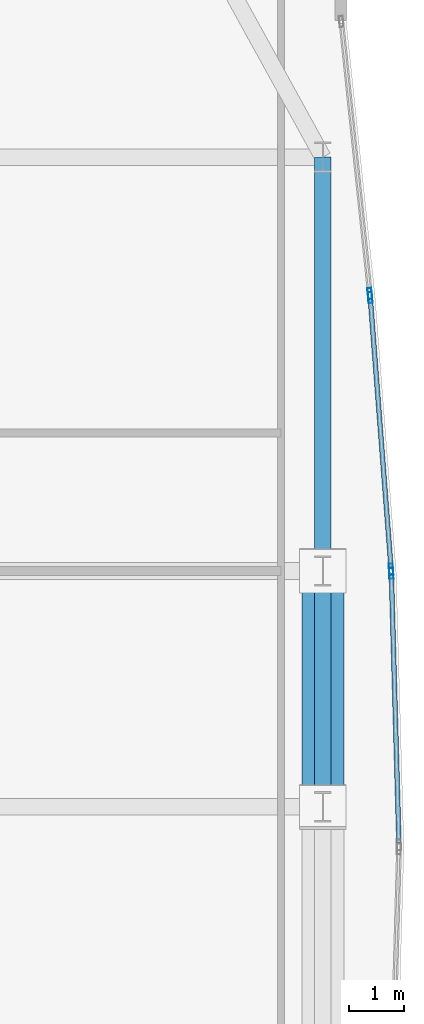
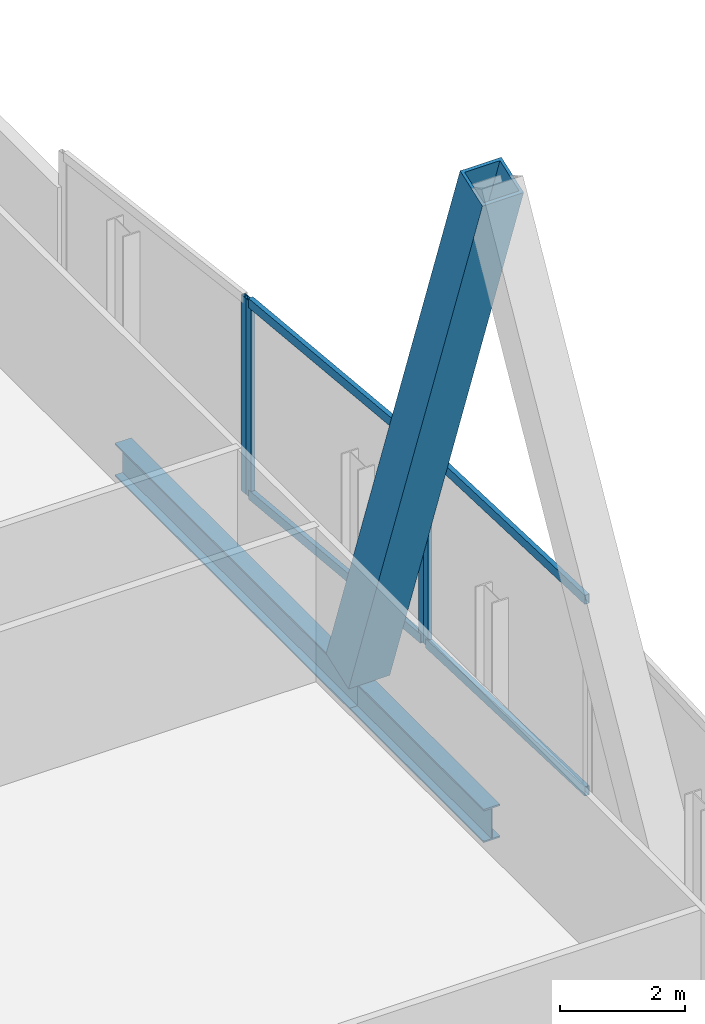
# One storey, part 24 of 32: 9 members, 2 beams, 3 elements without a shape of their own.
"""IFC4 building model written with IfcOpenShell, lengths in metres."""

from ifc_helpers import new_model, si_unit, direction, frame, origin, origin_2d, place, context, subcontext, project, spatial, hollow_rectangle, i_section, extrude, material, material_profile, profile_set, type_object, element, aggregate, save


model = new_model("IFC4")

# Units and contexts
model_context = context("Model", 3, precision=1e-05, world=origin(), true_north=direction((0.0, 1.0)))
body_context = subcontext(model_context, "Body", "Model", "MODEL_VIEW")
ifc_project = project(units=[si_unit("LENGTHUNIT", "METRE"), si_unit("AREAUNIT", "SQUARE_METRE"), si_unit("VOLUMEUNIT", "CUBIC_METRE"), si_unit("PLANEANGLEUNIT", "RADIAN"), si_unit("MASSUNIT", "GRAM", prefix="KILO")], contexts=[model_context])

# Site, building, storey
site_placement = place(None, origin())
site = spatial("IfcSite", under=ifc_project, at=site_placement, CompositionType="ELEMENT")
building_placement = place(site_placement, origin())
building = spatial("IfcBuilding", under=site, at=building_placement, Name="Khoronbel Lancet Exchange", CompositionType="ELEMENT")
storey_placement = place(building_placement, frame((0.0, 0.0, 94.60009765625)))
storey = spatial("IfcBuildingStorey", under=building, at=storey_placement, Name="L22", CompositionType="ELEMENT", Elevation=94.60009765625)

# Beams
ifc_material_1 = material(Name="Steel S355", Category="steel")
ifc_material_profile_1 = material_profile(ifc_material_1, i_section(OverallWidth=0.300048828125, OverallDepth=0.64990234375, WebThickness=0.01611328125, FlangeThickness=0.031005859375, at=origin_2d()), Name="HEB 650")
ifc_profile_set_1 = profile_set([ifc_material_profile_1], Name="Steel S355")
beam_type = type_object("IfcBeamType", Name="BM-BSP1", PredefinedType="SPANDREL", material=ifc_profile_set_1)
beam_1_placement = place(storey_placement, frame((69.6298828125, 31.425048828125, -0.505126953125), z_axis=(0.0, 1.0, 0.0), x_axis=(-1.0, 0.0, 0.0)))
element("IfcBeam", 1, at=beam_1_placement, inside=storey, type_object=beam_type, Name="Level L22 perimeter spandrel beam SP13", PredefinedType="SPANDREL", context=body_context, shape_type="SweptSolid", body=[
    extrude(i_section(OverallWidth=0.300048828125, OverallDepth=0.64990234375, WebThickness=0.01611328125, FlangeThickness=0.031005859375, at=origin_2d()), origin(), (0.0, 0.0, 1.0), 4.27490234375),
])
beam_2_placement = place(storey_placement, frame((69.6298828125, 35.699951171875, -0.505126953125), z_axis=(0.0, 1.0, 0.0), x_axis=(-1.0, 0.0, 0.0)))
element("IfcBeam", 2, at=beam_2_placement, inside=storey, type_object=beam_type, Name="Level L22 perimeter spandrel beam SP14", PredefinedType="SPANDREL", context=body_context, shape_type="SweptSolid", body=[
    extrude(i_section(OverallWidth=0.300048828125, OverallDepth=0.64990234375, WebThickness=0.01611328125, FlangeThickness=0.031005859375, at=origin_2d()), origin(), (0.0, 0.0, 1.0), 7.5),
])

# Curtain wall, member
ifc_material_2 = material(Name="Low-E Solar Control Insulating Glass", Category="glass")
curtain_wall_type = type_object("IfcCurtainWallType", Name="CW-4", PredefinedType="NOTDEFINED", material=ifc_material_2)
curtain_wall_1_placement = place(storey_placement, origin())
curtain_wall_1 = element("IfcCurtainWall", 3, at=curtain_wall_1_placement, inside=storey, type_object=curtain_wall_type, Name="Unitised curtain wall CW-L22-E17", PredefinedType="NOTDEFINED")
ifc_material_3 = material(Name="Bronze-Anodised Aluminium 6063-T6", Category="aluminium")
ifc_material_profile_2 = material_profile(ifc_material_3, hollow_rectangle(XDim=0.074951171875, YDim=0.199951171875, WallThickness=0.0048828125, at=origin_2d()), Name="ALU MULLION 75x200")
ifc_profile_set_2 = profile_set([ifc_material_profile_2], Name="Bronze-Anodised Aluminium 6063-T6")
member_type_1 = type_object("IfcMemberType", Name="MEM-CWM2", PredefinedType="MULLION", material=ifc_profile_set_2)
member_1_placement = place(storey_placement, frame((70.4814453125, 40.729248046875, 0.0), z_axis=(0.0, 0.0, 1.0), x_axis=(0.994531779003, 0.104434383958, 0.0)))
member_1 = element("IfcMember", 4, at=member_1_placement, type_object=member_type_1, Name="CW4 mullion 2", PredefinedType="MULLION", context=body_context, shape_type="SweptSolid", body=[
    extrude(hollow_rectangle(XDim=0.074951171875, YDim=0.199951171875, WallThickness=0.0048828125, at=origin_2d()), origin(), (0.0, 0.0, 1.0), 3.81982421875),
])
aggregate(curtain_wall_1, [member_1])

# Curtain wall, members
curtain_wall_2_placement = place(storey_placement, origin())
curtain_wall_2 = element("IfcCurtainWall", 5, at=curtain_wall_2_placement, inside=storey, type_object=curtain_wall_type, Name="Unitised curtain wall CW-L22-E18", PredefinedType="NOTDEFINED")
member_2_placement = place(storey_placement, frame((70.48828125, 40.654541015625, 0.0), z_axis=(0.0, 0.0, 1.0), x_axis=(0.997059882555, 0.076626304874, 0.0)))
member_2 = element("IfcMember", 6, at=member_2_placement, type_object=member_type_1, Name="CW4 mullion 1", PredefinedType="MULLION", context=body_context, shape_type="SweptSolid", body=[
    extrude(hollow_rectangle(XDim=0.074951171875, YDim=0.199951171875, WallThickness=0.0048828125, at=origin_2d()), origin(), (0.0, 0.0, 1.0), 3.81982421875),
])
member_3_placement = place(storey_placement, frame((70.866455078125, 35.732666015625, 0.0), z_axis=(0.0, 0.0, 1.0), x_axis=(0.997059882555, 0.076626304874, 0.0)))
member_3 = element("IfcMember", 7, at=member_3_placement, type_object=member_type_1, Name="CW4 mullion 2", PredefinedType="MULLION", context=body_context, shape_type="SweptSolid", body=[
    extrude(hollow_rectangle(XDim=0.074951171875, YDim=0.199951171875, WallThickness=0.0048828125, at=origin_2d()), origin(), (0.0, 0.0, 1.0), 3.81982421875),
])

# Curtain wall, member
curtain_wall_3_placement = place(storey_placement, origin())
curtain_wall_3 = element("IfcCurtainWall", 8, at=curtain_wall_3_placement, inside=storey, type_object=curtain_wall_type, Name="Unitised curtain wall CW-L22-E19", PredefinedType="NOTDEFINED")
member_4_placement = place(storey_placement, frame((70.870361328125, 35.65771484375, 0.0), z_axis=(0.0, 0.0, 1.0), x_axis=(0.999604123662, 0.028135315146, 0.0)))
member_4 = element("IfcMember", 9, at=member_4_placement, type_object=member_type_1, Name="CW4 mullion 1", PredefinedType="MULLION", context=body_context, shape_type="SweptSolid", body=[
    extrude(hollow_rectangle(XDim=0.074951171875, YDim=0.199951171875, WallThickness=0.0048828125, at=origin_2d()), origin(), (0.0, 0.0, 1.0), 3.81982421875),
])

# Member
ifc_material_profile_3 = material_profile(ifc_material_3, hollow_rectangle(XDim=0.0849609375, YDim=0.179931640625, WallThickness=0.0048828125, at=origin_2d()), Name="ALU TRANSOM 85x180")
ifc_profile_set_3 = profile_set([ifc_material_profile_3], Name="Bronze-Anodised Aluminium 6063-T6")
member_type_2 = type_object("IfcMemberType", Name="MEM-CWT1", PredefinedType="USERDEFINED", material=ifc_profile_set_3)
member_5_placement = place(storey_placement, frame((70.4912109375, 40.6171875, 0.04248046875), z_axis=(0.076635053626, -0.997059210155, 0.0), x_axis=(0.997059210155, 0.076635053626, 0.0)))
member_5 = element("IfcMember", 10, at=member_5_placement, type_object=member_type_2, Name="CW4 transom 1.1", ObjectType="TRANSOM", PredefinedType="USERDEFINED", context=body_context, shape_type="SweptSolid", body=[
    extrude(hollow_rectangle(XDim=0.0849609375, YDim=0.179931640625, WallThickness=0.0048828125, at=origin_2d()), origin(), (0.0, 0.0, 1.0), 4.861572265625),
])

member_6_placement = place(storey_placement, frame((70.4912109375, 40.6171875, 3.77734375), z_axis=(0.076635053626, -0.997059210155, 0.0), x_axis=(0.997059210155, 0.076635053626, 0.0)))
member_6 = element("IfcMember", 11, at=member_6_placement, type_object=member_type_2, Name="CW4 transom 1.2", ObjectType="TRANSOM", PredefinedType="USERDEFINED", context=body_context, shape_type="SweptSolid", body=[
    extrude(hollow_rectangle(XDim=0.0849609375, YDim=0.179931640625, WallThickness=0.0048828125, at=origin_2d()), origin(), (0.0, 0.0, 1.0), 4.861572265625),
])

aggregate(curtain_wall_2, [member_2, member_3, member_5, member_6])

member_7_placement = place(storey_placement, frame((70.87158203125, 35.620361328125, 0.04248046875), z_axis=(0.028103975057, -0.999605005283, 0.0), x_axis=(0.999605005283, 0.028103975057, 0.0)))
member_7 = element("IfcMember", 12, at=member_7_placement, type_object=member_type_2, Name="CW4 transom 1.1", ObjectType="TRANSOM", PredefinedType="USERDEFINED", context=body_context, shape_type="SweptSolid", body=[
    extrude(hollow_rectangle(XDim=0.0849609375, YDim=0.179931640625, WallThickness=0.0048828125, at=origin_2d()), origin(), (0.0, 0.0, 1.0), 4.847412109375),
])

member_8_placement = place(storey_placement, frame((70.87158203125, 35.620361328125, 3.77734375), z_axis=(0.028103975057, -0.999605005283, 0.0), x_axis=(0.999605005283, 0.028103975057, 0.0)))
member_8 = element("IfcMember", 13, at=member_8_placement, type_object=member_type_2, Name="CW4 transom 1.2", ObjectType="TRANSOM", PredefinedType="USERDEFINED", context=body_context, shape_type="SweptSolid", body=[
    extrude(hollow_rectangle(XDim=0.0849609375, YDim=0.179931640625, WallThickness=0.0048828125, at=origin_2d()), origin(), (0.0, 0.0, 1.0), 4.847412109375),
])

aggregate(curtain_wall_3, [member_4, member_7, member_8])

ifc_material_4 = material(Name="Steel S460", Category="steel")
ifc_material_profile_4 = material_profile(ifc_material_4, hollow_rectangle(XDim=0.760009765625, YDim=0.760009765625, WallThickness=0.054931640625, at=origin_2d()), Name="BOX 760x760x55")
ifc_profile_set_4 = profile_set([ifc_material_profile_4], Name="Steel S460")
member_type_3 = type_object("IfcMemberType", Name="MEM-MB1", PredefinedType="BRACE", material=ifc_profile_set_4)
member_9_placement = place(storey_placement, frame((69.6298828125, 35.699951171875, 0.0), z_axis=(0.0, -0.335583554792, 0.94201044461), x_axis=(1.0, 0.0, 0.0)))
element("IfcMember", 14, at=member_9_placement, inside=storey, type_object=member_type_3, Name="Perimeter lancet brace tier 7 E-P-R", PredefinedType="BRACE", context=body_context, shape_type="SweptSolid", body=[
    extrude(hollow_rectangle(XDim=0.760009765625, YDim=0.760009765625, WallThickness=0.054931640625, at=origin_2d()), origin(), (0.0, 0.0, 1.0), 12.73876953125),
])

save(model, "model.ifc")
